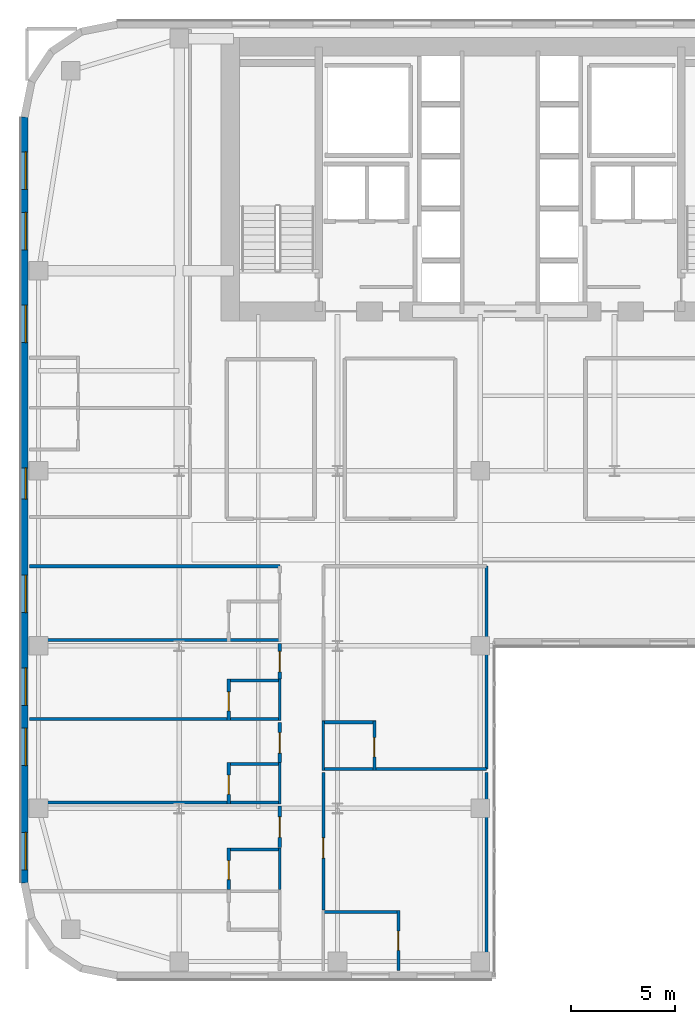
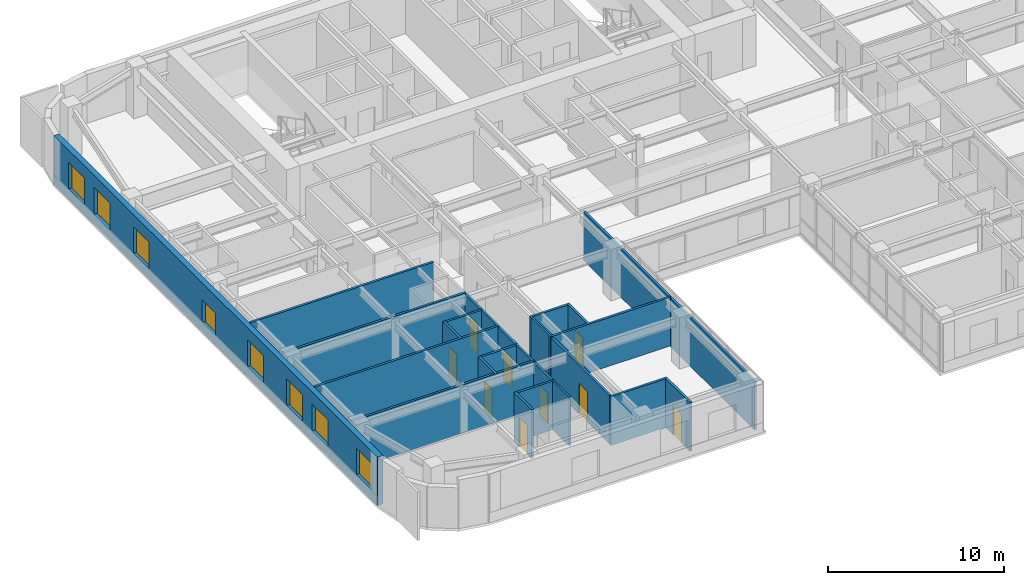
# One storey, part 14 of 24: 26 walls, 9 doors, 8 windows, 17 openings.
"""IFC4 building model written with IfcOpenShell, lengths in metres."""

from ifc_helpers import new_model, si_unit, direction, frame, frame_2d, origin, place, context, subcontext, project, spatial, rectangle, extrude, source, transform, mapped, material, layer, layer_set, type_object, type_shapes, element, fill, save


model = new_model("IFC4")

# Units and contexts
model_context = context("Model", 3, precision=1e-05, world=origin(), true_north=direction((0.0, 1.0)))
body_context = subcontext(model_context, "Body", "Model", "MODEL_VIEW")
ifc_project = project(units=[si_unit("LENGTHUNIT", "METRE"), si_unit("AREAUNIT", "SQUARE_METRE"), si_unit("VOLUMEUNIT", "CUBIC_METRE"), si_unit("PLANEANGLEUNIT", "RADIAN"), si_unit("MASSUNIT", "GRAM", prefix="KILO")], contexts=[model_context])

# Site, building, storey
site_placement = place(None, origin())
site = spatial("IfcSite", under=ifc_project, at=site_placement, CompositionType="ELEMENT")
building_placement = place(site_placement, origin())
building = spatial("IfcBuilding", under=site, at=building_placement, Name="Tolvann Quenvar Hotel", CompositionType="ELEMENT")
storey_placement = place(building_placement, frame((0.0, 0.0, 81.699951171875)))
storey = spatial("IfcBuildingStorey", under=building, at=storey_placement, Name="L20", CompositionType="ELEMENT", Elevation=81.699951171875)

# Wall, openings, windows
ifc_material_1 = material(Name="Kiln-fired red and buff architectural clay brickwork and terracotta masonry", Category="masonry")
ifc_layer_1 = layer(ifc_material_1, 0.35009765625)
ifc_layer_set_1 = layer_set([ifc_layer_1], Name="Kiln-fired red and buff architectural clay brickwork and terracotta masonry")
wall_type_1 = type_object("IfcWallType", Name="WALL_EXT_BRICK_350", PredefinedType="SOLIDWALL", material=ifc_layer_set_1)
wall_1_placement = place(storey_placement, frame((0.175048828125, 41.3828125, 0.0), z_axis=(0.0, 0.0, 1.0), x_axis=(0.0, -1.0, 0.0)))
wall_1 = element("IfcWall", 1, at=wall_1_placement, inside=storey, type_object=wall_type_1, Name="Exterior Chicago Brick Wall L20-E23", PredefinedType="SOLIDWALL", context=body_context, shape_type="SweptSolid", body=[
    extrude(rectangle(XDim=36.765625, YDim=0.35009765625, at=frame_2d((18.3828125, 0.0))), origin(), (0.0, 0.0, 1.0), 3.3701171875),
])
opening_1_placement = place(wall_1_placement, frame((1.676025390625, 0.0, 0.679931640625)))
opening_1 = element("IfcOpeningElement", 2, at=opening_1_placement, cuts=wall_1, Name="Opening W-03", PredefinedType="OPENING", context=body_context, shape_type="SweptSolid", body=[
    extrude(rectangle(XDim=1.800048828125, YDim=1.85009765625, at=frame_2d((0.89990234375, 0.925048828125))), frame((0.0, 0.18505859375, 0.0), z_axis=(0.0, -1.0, 0.0), x_axis=(1.0, 0.0, 0.0)), (0.0, 0.0, 1.0), 0.3701171875),
])
opening_2_placement = place(wall_1_placement, frame((4.577880859375, 0.0, 0.679931640625)))
opening_2 = element("IfcOpeningElement", 3, at=opening_2_placement, cuts=wall_1, Name="Opening W-03", PredefinedType="OPENING", context=body_context, shape_type="SweptSolid", body=[
    extrude(rectangle(XDim=1.800048828125, YDim=1.85009765625, at=frame_2d((0.89990234375, 0.925048828125))), frame((0.0, 0.18505859375, 0.0), z_axis=(0.0, -1.0, 0.0), x_axis=(1.0, 0.0, 0.0)), (0.0, 0.0, 1.0), 0.3701171875),
])
opening_3_placement = place(wall_1_placement, frame((9.029052734375, 0.0, 0.679931640625)))
opening_3 = element("IfcOpeningElement", 4, at=opening_3_placement, cuts=wall_1, Name="Opening W-03", PredefinedType="OPENING", context=body_context, shape_type="SweptSolid", body=[
    extrude(rectangle(XDim=1.800048828125, YDim=1.85009765625, at=frame_2d((0.89990234375, 0.925048828125))), frame((0.0, 0.18505859375, 0.0), z_axis=(0.0, -1.0, 0.0), x_axis=(1.0, 0.0, 0.0)), (0.0, 0.0, 1.0), 0.3701171875),
])
opening_4_placement = place(wall_1_placement, frame((21.985107421875, 0.0, 0.679931640625)))
opening_4 = element("IfcOpeningElement", 5, at=opening_4_placement, cuts=wall_1, Name="Opening W-03", PredefinedType="OPENING", context=body_context, shape_type="SweptSolid", body=[
    extrude(rectangle(XDim=1.800048828125, YDim=1.85009765625, at=frame_2d((0.89990234375, 0.925048828125))), frame((0.0, 0.18505859375, 0.0), z_axis=(0.0, -1.0, 0.0), x_axis=(1.0, 0.0, 0.0)), (0.0, 0.0, 1.0), 0.3701171875),
])
opening_5_placement = place(wall_1_placement, frame((26.43603515625, 0.0, 0.679931640625)))
opening_5 = element("IfcOpeningElement", 6, at=opening_5_placement, cuts=wall_1, Name="Opening W-03", PredefinedType="OPENING", context=body_context, shape_type="SweptSolid", body=[
    extrude(rectangle(XDim=1.800048828125, YDim=1.85009765625, at=frame_2d((0.89990234375, 0.925048828125))), frame((0.0, 0.18505859375, 0.0), z_axis=(0.0, -1.0, 0.0), x_axis=(1.0, 0.0, 0.0)), (0.0, 0.0, 1.0), 0.3701171875),
])
opening_6_placement = place(wall_1_placement, frame((29.337890625, 0.0, 0.679931640625)))
opening_6 = element("IfcOpeningElement", 7, at=opening_6_placement, cuts=wall_1, Name="Opening W-03", PredefinedType="OPENING", context=body_context, shape_type="SweptSolid", body=[
    extrude(rectangle(XDim=1.800048828125, YDim=1.85009765625, at=frame_2d((0.89990234375, 0.925048828125))), frame((0.0, 0.18505859375, 0.0), z_axis=(0.0, -1.0, 0.0), x_axis=(1.0, 0.0, 0.0)), (0.0, 0.0, 1.0), 0.3701171875),
])
opening_7_placement = place(wall_1_placement, frame((34.340087890625, 0.0, 0.679931640625)))
opening_7 = element("IfcOpeningElement", 8, at=opening_7_placement, cuts=wall_1, Name="Opening W-03", PredefinedType="OPENING", context=body_context, shape_type="SweptSolid", body=[
    extrude(rectangle(XDim=1.800048828125, YDim=1.85009765625, at=frame_2d((0.89990234375, 0.925048828125))), frame((0.0, 0.18505859375, 0.0), z_axis=(0.0, -1.0, 0.0), x_axis=(1.0, 0.0, 0.0)), (0.0, 0.0, 1.0), 0.3701171875),
])
opening_8_placement = place(wall_1_placement, frame((16.837890625, 0.0, 0.6201171875)))
opening_8 = element("IfcOpeningElement", 9, at=opening_8_placement, cuts=wall_1, Name="Opening W-08", PredefinedType="OPENING", context=body_context, shape_type="SweptSolid", body=[
    extrude(rectangle(XDim=1.5, YDim=1.550048828125, at=frame_2d((0.75, 0.77490234375))), frame((0.0, 0.18505859375, 0.0), z_axis=(0.0, -1.0, 0.0), x_axis=(1.0, 0.0, 0.0)), (0.0, 0.0, 1.0), 0.3701171875),
])
ifc_material_2 = material(Name="Thermally broken bronze-anodised aluminium frame with double low-E glazing", Category="aluminium")
window_type_1 = type_object("IfcWindowType", Name="WIN_COR_1500x2050", PartitioningType="SINGLE_PANEL", PredefinedType="WINDOW", material=ifc_material_2)
shared_shape_1 = source(origin(), body_context, "Body", "SweptSolid", [
    extrude(rectangle(XDim=1.5, YDim=1.550048828125, at=frame_2d((0.75, 0.77490234375))), frame((0.0, 0.090087890625, 0.0), z_axis=(0.0, -1.0, 0.0), x_axis=(1.0, 0.0, 0.0)), (0.0, 0.0, 1.0), 0.06005859375),
])
type_shapes(window_type_1, [shared_shape_1])
window_1_placement = place(opening_8_placement, origin())
window_1 = element("IfcWindow", 10, at=window_1_placement, inside=storey, type_object=window_type_1, Name="Chicago Window W-08 (EW-L20-E23-WD08)", OverallHeight=1.550048828125, OverallWidth=1.5, PartitioningType="SINGLE_PANEL", PredefinedType="WINDOW", context=body_context, shape_type="MappedRepresentation", body=[
    mapped(shared_shape_1, transform((0.0, 0.0, 0.0), x_axis=(1.0, 0.0, 0.0), y_axis=(0.0, 1.0, 0.0), z_axis=(0.0, 0.0, 1.0), scale=1.0)),
])
fill(opening_8, window_1)
window_type_2 = type_object("IfcWindowType", Name="WIN_CHI_1800x2050", PartitioningType="TRIPLE_PANEL_HORIZONTAL", PredefinedType="WINDOW", material=ifc_material_2)
shared_shape_2 = source(origin(), body_context, "Body", "SweptSolid", [
    extrude(rectangle(XDim=1.800048828125, YDim=1.85009765625, at=frame_2d((0.89990234375, 0.925048828125))), frame((0.0, 0.090087890625, 0.0), z_axis=(0.0, -1.0, 0.0), x_axis=(1.0, 0.0, 0.0)), (0.0, 0.0, 1.0), 0.06005859375),
])
type_shapes(window_type_2, [shared_shape_2])
window_2_placement = place(opening_1_placement, origin())
window_2 = element("IfcWindow", 11, at=window_2_placement, inside=storey, type_object=window_type_2, Name="Chicago Window W-03 (EW-L20-E23-W01)", OverallHeight=1.85009765625, OverallWidth=1.800048828125, PartitioningType="TRIPLE_PANEL_HORIZONTAL", PredefinedType="WINDOW", context=body_context, shape_type="MappedRepresentation", body=[
    mapped(shared_shape_2, transform((0.0, 0.0, 0.0), x_axis=(1.0, 0.0, 0.0), y_axis=(0.0, 1.0, 0.0), z_axis=(0.0, 0.0, 1.0), scale=1.0)),
])
fill(opening_1, window_2)
window_3_placement = place(opening_2_placement, origin())
window_3 = element("IfcWindow", 12, at=window_3_placement, inside=storey, type_object=window_type_2, Name="Chicago Window W-03 (EW-L20-E23-W02)", OverallHeight=1.85009765625, OverallWidth=1.800048828125, PartitioningType="TRIPLE_PANEL_HORIZONTAL", PredefinedType="WINDOW", context=body_context, shape_type="MappedRepresentation", body=[
    mapped(shared_shape_2, transform((0.0, 0.0, 0.0), x_axis=(1.0, 0.0, 0.0), y_axis=(0.0, 1.0, 0.0), z_axis=(0.0, 0.0, 1.0), scale=1.0)),
])
fill(opening_2, window_3)
window_4_placement = place(opening_3_placement, origin())
window_4 = element("IfcWindow", 13, at=window_4_placement, inside=storey, type_object=window_type_2, Name="Chicago Window W-03 (EW-L20-E23-W03)", OverallHeight=1.85009765625, OverallWidth=1.800048828125, PartitioningType="TRIPLE_PANEL_HORIZONTAL", PredefinedType="WINDOW", context=body_context, shape_type="MappedRepresentation", body=[
    mapped(shared_shape_2, transform((0.0, 0.0, 0.0), x_axis=(1.0, 0.0, 0.0), y_axis=(0.0, 1.0, 0.0), z_axis=(0.0, 0.0, 1.0), scale=1.0)),
])
fill(opening_3, window_4)
window_5_placement = place(opening_4_placement, origin())
window_5 = element("IfcWindow", 14, at=window_5_placement, inside=storey, type_object=window_type_2, Name="Chicago Window W-03 (EW-L20-E23-W04)", OverallHeight=1.85009765625, OverallWidth=1.800048828125, PartitioningType="TRIPLE_PANEL_HORIZONTAL", PredefinedType="WINDOW", context=body_context, shape_type="MappedRepresentation", body=[
    mapped(shared_shape_2, transform((0.0, 0.0, 0.0), x_axis=(1.0, 0.0, 0.0), y_axis=(0.0, 1.0, 0.0), z_axis=(0.0, 0.0, 1.0), scale=1.0)),
])
fill(opening_4, window_5)
window_6_placement = place(opening_5_placement, origin())
window_6 = element("IfcWindow", 15, at=window_6_placement, inside=storey, type_object=window_type_2, Name="Chicago Window W-03 (EW-L20-E23-W05)", OverallHeight=1.85009765625, OverallWidth=1.800048828125, PartitioningType="TRIPLE_PANEL_HORIZONTAL", PredefinedType="WINDOW", context=body_context, shape_type="MappedRepresentation", body=[
    mapped(shared_shape_2, transform((0.0, 0.0, 0.0), x_axis=(1.0, 0.0, 0.0), y_axis=(0.0, 1.0, 0.0), z_axis=(0.0, 0.0, 1.0), scale=1.0)),
])
fill(opening_5, window_6)
window_7_placement = place(opening_6_placement, origin())
window_7 = element("IfcWindow", 16, at=window_7_placement, inside=storey, type_object=window_type_2, Name="Chicago Window W-03 (EW-L20-E23-W06)", OverallHeight=1.85009765625, OverallWidth=1.800048828125, PartitioningType="TRIPLE_PANEL_HORIZONTAL", PredefinedType="WINDOW", context=body_context, shape_type="MappedRepresentation", body=[
    mapped(shared_shape_2, transform((0.0, 0.0, 0.0), x_axis=(1.0, 0.0, 0.0), y_axis=(0.0, 1.0, 0.0), z_axis=(0.0, 0.0, 1.0), scale=1.0)),
])
fill(opening_6, window_7)
window_8_placement = place(opening_7_placement, origin())
window_8 = element("IfcWindow", 17, at=window_8_placement, inside=storey, type_object=window_type_2, Name="Chicago Window W-03 (EW-L20-E23-W07)", OverallHeight=1.85009765625, OverallWidth=1.800048828125, PartitioningType="TRIPLE_PANEL_HORIZONTAL", PredefinedType="WINDOW", context=body_context, shape_type="MappedRepresentation", body=[
    mapped(shared_shape_2, transform((0.0, 0.0, 0.0), x_axis=(1.0, 0.0, 0.0), y_axis=(0.0, 1.0, 0.0), z_axis=(0.0, 0.0, 1.0), scale=1.0)),
])
fill(opening_7, window_8)

# Walls
ifc_material_3 = material(Name="Moisture-resistant acoustic plumbing wall assembly")
ifc_layer_2 = layer(ifc_material_3, 0.1201171875)
ifc_layer_set_2 = layer_set([ifc_layer_2], Name="Moisture-resistant acoustic plumbing wall assembly")
wall_type_2 = type_object("IfcWallType", Name="WALL_PART_BATH_120", PredefinedType="PLUMBINGWALL", material=ifc_layer_set_2)
for number, where, z_axis, x_axis, name in (
    (18, (12.429931640625, 4.31005859375, 0.0), (0.0, 0.0, 1.0), (0.0, 1.0, 0.0), "Non-Rated Plumbing Partition PT-SPC-L20-ENS-WO02-E"),
    (19, (12.429931640625, 8.409912109375, 0.0), (0.0, 0.0, 1.0), (0.0, 1.0, 0.0), "Non-Rated Plumbing Partition PT-SPC-L20-ENS-WO03-E"),
    (20, (12.429931640625, 12.409912109375, 0.0), (0.0, 0.0, 1.0), (0.0, 1.0, 0.0), "Non-Rated Plumbing Partition PT-SPC-L20-ENS-WO04-E"),
):
    element("IfcWall", number, at=place(storey_placement, frame(where, z_axis=z_axis, x_axis=x_axis)), inside=storey, type_object=wall_type_2, Name=name, PredefinedType="PLUMBINGWALL", context=body_context, shape_type="SweptSolid", body=[
        extrude(rectangle(XDim=1.989990234375, YDim=0.1201171875, at=frame_2d((0.9951171875, 0.0))), origin(), (0.0, 0.0, 1.0), 3.3701171875),
    ])
wall_2_placement = place(storey_placement, frame((14.52001953125, 10.010009765625, 0.0), z_axis=(0.0, 0.0, 1.0), x_axis=(0.0, 1.0, 0.0)))
element("IfcWall", 21, at=wall_2_placement, inside=storey, type_object=wall_type_2, Name="Non-Rated Plumbing Partition PT-SPC-L20-ENS-WI02-W", PredefinedType="PLUMBINGWALL", context=body_context, shape_type="SweptSolid", body=[
    extrude(rectangle(XDim=2.389892578125, YDim=0.1201171875, at=frame_2d((1.19482421875, 0.0))), origin(), (0.0, 0.0, 1.0), 3.3701171875),
])

# Wall, opening, door
ifc_material_4 = material(Name="Acoustic twin-stud fire-rated gypsum plasterboard partition")
ifc_layer_3 = layer(ifc_material_4, 0.14990234375)
ifc_layer_set_3 = layer_set([ifc_layer_3], Name="Acoustic twin-stud fire-rated gypsum plasterboard partition")
wall_type_3 = type_object("IfcWallType", Name="WALL_PART_SUITE_150", PredefinedType="PARTITIONING", material=ifc_layer_set_3)
wall_3_placement = place(storey_placement, frame((9.97998046875, 4.31005859375, 0.0), z_axis=(0.0, 0.0, 1.0), x_axis=(0.0, 1.0, 0.0)))
wall_3 = element("IfcWall", 22, at=wall_3_placement, inside=storey, type_object=wall_type_3, Name="Interior Partition PT-SPC-L20-ENS-WO02-ENT", PredefinedType="PARTITIONING", context=body_context, shape_type="SweptSolid", body=[
    extrude(rectangle(XDim=1.989990234375, YDim=0.14990234375, at=frame_2d((0.9951171875, 0.0))), origin(), (0.0, 0.0, 1.0), 3.3701171875),
])
opening_9_placement = place(wall_3_placement, frame((0.465087890625, 0.0, 0.0)))
opening_9 = element("IfcOpeningElement", 23, at=opening_9_placement, cuts=wall_3, Name="Opening WD-01", PredefinedType="OPENING", context=body_context, shape_type="SweptSolid", body=[
    extrude(rectangle(XDim=0.919921875, YDim=2.010009765625, at=frame_2d((0.4599609375, 1.0048828125))), frame((0.0, 0.0849609375, 0.0), z_axis=(0.0, -1.0, 0.0), x_axis=(1.0, 0.0, 0.0)), (0.0, 0.0, 1.0), 0.169921875),
])
ifc_material_5 = material(Name="Solid-core American oak acoustic fire door leaf in steel frame", Category="steel")
door_type_1 = type_object("IfcDoorType", Name="DOOR_WC_920", OperationType="NOTDEFINED", PredefinedType="DOOR", material=ifc_material_5)
shared_shape_3 = source(origin(), body_context, "Body", "SweptSolid", [
    extrude(rectangle(XDim=0.919921875, YDim=2.010009765625, at=frame_2d((0.4599609375, 1.0048828125))), frame((0.0, 0.02490234375, 0.0), z_axis=(0.0, -1.0, 0.0), x_axis=(1.0, 0.0, 0.0)), (0.0, 0.0, 1.0), 0.050048828125),
])
type_shapes(door_type_1, [shared_shape_3])
door_1_placement = place(opening_9_placement, origin())
door_1 = element("IfcDoor", 24, at=door_1_placement, inside=storey, type_object=door_type_1, Name="Interior Door DOOR-SPC-L20-ENS-WO02", OperationType="SINGLE_SWING_LEFT", OverallHeight=2.010009765625, OverallWidth=0.919921875, PredefinedType="DOOR", context=body_context, shape_type="MappedRepresentation", body=[
    mapped(shared_shape_3, transform((0.0, 0.0, 0.0), x_axis=(1.0, 0.0, 0.0), y_axis=(0.0, 1.0, 0.0), z_axis=(0.0, 0.0, 1.0), scale=1.0)),
])
fill(opening_9, door_1)

# Wall
wall_4_placement = place(storey_placement, frame((9.909912109375, 6.22998046875, 0.0), z_axis=(0.0, 0.0, 1.0), x_axis=(1.0, 0.0, 0.0)))
element("IfcWall", 25, at=wall_4_placement, inside=storey, type_object=wall_type_3, Name="Interior Partition PT-SPC-L20-ENS-WO02-N", PredefinedType="PARTITIONING", context=body_context, shape_type="SweptSolid", body=[
    extrude(rectangle(XDim=2.590087890625, YDim=0.14990234375, at=frame_2d((1.294921875, 0.0))), origin(), (0.0, 0.0, 1.0), 3.3701171875),
])

# Wall, opening, door
wall_5_placement = place(storey_placement, frame((9.97998046875, 8.409912109375, 0.0), z_axis=(0.0, 0.0, 1.0), x_axis=(0.0, 1.0, 0.0)))
wall_5 = element("IfcWall", 26, at=wall_5_placement, inside=storey, type_object=wall_type_3, Name="Interior Partition PT-SPC-L20-ENS-WO03-ENT", PredefinedType="PARTITIONING", context=body_context, shape_type="SweptSolid", body=[
    extrude(rectangle(XDim=1.989990234375, YDim=0.14990234375, at=frame_2d((0.9951171875, 0.0))), origin(), (0.0, 0.0, 1.0), 3.3701171875),
])
opening_10_placement = place(wall_5_placement, frame((0.465087890625, 0.0, 0.0)))
opening_10 = element("IfcOpeningElement", 27, at=opening_10_placement, cuts=wall_5, Name="Opening WD-01", PredefinedType="OPENING", context=body_context, shape_type="SweptSolid", body=[
    extrude(rectangle(XDim=0.919921875, YDim=2.010009765625, at=frame_2d((0.4599609375, 1.0048828125))), frame((0.0, 0.0849609375, 0.0), z_axis=(0.0, -1.0, 0.0), x_axis=(1.0, 0.0, 0.0)), (0.0, 0.0, 1.0), 0.169921875),
])
door_2_placement = place(opening_10_placement, origin())
door_2 = element("IfcDoor", 28, at=door_2_placement, inside=storey, type_object=door_type_1, Name="Interior Door DOOR-SPC-L20-ENS-WO03", OperationType="SINGLE_SWING_RIGHT", OverallHeight=2.010009765625, OverallWidth=0.919921875, PredefinedType="DOOR", context=body_context, shape_type="MappedRepresentation", body=[
    mapped(shared_shape_3, transform((0.0, 0.0, 0.0), x_axis=(1.0, 0.0, 0.0), y_axis=(0.0, 1.0, 0.0), z_axis=(0.0, 0.0, 1.0), scale=1.0)),
])
fill(opening_10, door_2)

# Walls
wall_6_placement = place(storey_placement, frame((0.405029296875, 8.47998046875, 0.0), z_axis=(0.0, 0.0, 1.0), x_axis=(1.0, 0.0, 0.0)))
element("IfcWall", 29, at=wall_6_placement, inside=storey, type_object=wall_type_3, Name="Interior Partition PT-SPC-L20-ENS-WO03-S", PredefinedType="PARTITIONING", context=body_context, shape_type="SweptSolid", body=[
    extrude(rectangle(XDim=12.094970703125, YDim=0.14990234375, at=frame_2d((6.04736328125, 0.0))), origin(), (0.0, 0.0, 1.0), 3.3701171875),
])
wall_7_placement = place(storey_placement, frame((9.909912109375, 10.330078125, 0.0), z_axis=(0.0, 0.0, 1.0), x_axis=(1.0, 0.0, 0.0)))
element("IfcWall", 30, at=wall_7_placement, inside=storey, type_object=wall_type_3, Name="Interior Partition PT-SPC-L20-ENS-WO03-N", PredefinedType="PARTITIONING", context=body_context, shape_type="SweptSolid", body=[
    extrude(rectangle(XDim=2.590087890625, YDim=0.14990234375, at=frame_2d((1.294921875, 0.0))), origin(), (0.0, 0.0, 1.0), 3.3701171875),
])

# Wall, opening, door
wall_8_placement = place(storey_placement, frame((9.97998046875, 12.409912109375, 0.0), z_axis=(0.0, 0.0, 1.0), x_axis=(0.0, 1.0, 0.0)))
wall_8 = element("IfcWall", 31, at=wall_8_placement, inside=storey, type_object=wall_type_3, Name="Interior Partition PT-SPC-L20-ENS-WO04-ENT", PredefinedType="PARTITIONING", context=body_context, shape_type="SweptSolid", body=[
    extrude(rectangle(XDim=1.989990234375, YDim=0.14990234375, at=frame_2d((0.9951171875, 0.0))), origin(), (0.0, 0.0, 1.0), 3.3701171875),
])
opening_11_placement = place(wall_8_placement, frame((0.465087890625, 0.0, 0.0)))
opening_11 = element("IfcOpeningElement", 32, at=opening_11_placement, cuts=wall_8, Name="Opening WD-01", PredefinedType="OPENING", context=body_context, shape_type="SweptSolid", body=[
    extrude(rectangle(XDim=0.919921875, YDim=2.010009765625, at=frame_2d((0.4599609375, 1.0048828125))), frame((0.0, 0.0849609375, 0.0), z_axis=(0.0, -1.0, 0.0), x_axis=(1.0, 0.0, 0.0)), (0.0, 0.0, 1.0), 0.169921875),
])
door_3_placement = place(opening_11_placement, origin())
door_3 = element("IfcDoor", 33, at=door_3_placement, inside=storey, type_object=door_type_1, Name="Interior Door DOOR-SPC-L20-ENS-WO04", OperationType="SINGLE_SWING_LEFT", OverallHeight=2.010009765625, OverallWidth=0.919921875, PredefinedType="DOOR", context=body_context, shape_type="MappedRepresentation", body=[
    mapped(shared_shape_3, transform((0.0, 0.0, 0.0), x_axis=(1.0, 0.0, 0.0), y_axis=(0.0, 1.0, 0.0), z_axis=(0.0, 0.0, 1.0), scale=1.0)),
])
fill(opening_11, door_3)

# Walls
wall_9_placement = place(storey_placement, frame((0.405029296875, 12.47998046875, 0.0), z_axis=(0.0, 0.0, 1.0), x_axis=(1.0, 0.0, 0.0)))
element("IfcWall", 34, at=wall_9_placement, inside=storey, type_object=wall_type_3, Name="Interior Partition PT-SPC-L20-ENS-WO04-S", PredefinedType="PARTITIONING", context=body_context, shape_type="SweptSolid", body=[
    extrude(rectangle(XDim=12.094970703125, YDim=0.14990234375, at=frame_2d((6.04736328125, 0.0))), origin(), (0.0, 0.0, 1.0), 3.3701171875),
])
wall_10_placement = place(storey_placement, frame((9.909912109375, 14.330078125, 0.0), z_axis=(0.0, 0.0, 1.0), x_axis=(1.0, 0.0, 0.0)))
element("IfcWall", 35, at=wall_10_placement, inside=storey, type_object=wall_type_3, Name="Interior Partition PT-SPC-L20-ENS-WO04-N", PredefinedType="PARTITIONING", context=body_context, shape_type="SweptSolid", body=[
    extrude(rectangle(XDim=2.590087890625, YDim=0.14990234375, at=frame_2d((1.294921875, 0.0))), origin(), (0.0, 0.0, 1.0), 3.3701171875),
])
wall_11_placement = place(storey_placement, frame((0.405029296875, 16.280029296875, 0.0), z_axis=(0.0, 0.0, 1.0), x_axis=(1.0, 0.0, 0.0)))
element("IfcWall", 36, at=wall_11_placement, inside=storey, type_object=wall_type_3, Name="Interior Partition PT-SPC-L20-ENS-WO05-S", PredefinedType="PARTITIONING", context=body_context, shape_type="SweptSolid", body=[
    extrude(rectangle(XDim=12.094970703125, YDim=0.14990234375, at=frame_2d((6.04736328125, 0.0))), origin(), (0.0, 0.0, 1.0), 3.3701171875),
])

# Wall, opening, door
wall_12_placement = place(storey_placement, frame((18.1201171875, 0.405029296875, 0.0), z_axis=(0.0, 0.0, 1.0), x_axis=(0.0, 1.0, 0.0)))
wall_12 = element("IfcWall", 37, at=wall_12_placement, inside=storey, type_object=wall_type_3, Name="Interior Partition PT-SPC-L20-ENS-WI01-ENT", PredefinedType="PARTITIONING", context=body_context, shape_type="SweptSolid", body=[
    extrude(rectangle(XDim=2.89501953125, YDim=0.14990234375, at=frame_2d((1.447509765625, 0.0))), origin(), (0.0, 0.0, 1.0), 3.3701171875),
])
opening_12_placement = place(wall_12_placement, frame((0.97998046875, 0.0, 0.0)))
opening_12 = element("IfcOpeningElement", 38, at=opening_12_placement, cuts=wall_12, Name="Opening WD-01", PredefinedType="OPENING", context=body_context, shape_type="SweptSolid", body=[
    extrude(rectangle(XDim=0.919921875, YDim=2.010009765625, at=frame_2d((0.4599609375, 1.0048828125))), frame((0.0, 0.0849609375, 0.0), z_axis=(0.0, -1.0, 0.0), x_axis=(1.0, 0.0, 0.0)), (0.0, 0.0, 1.0), 0.169921875),
])
door_4_placement = place(opening_12_placement, origin())
door_4 = element("IfcDoor", 39, at=door_4_placement, inside=storey, type_object=door_type_1, Name="Interior Door DOOR-SPC-L20-ENS-WI01", OperationType="SINGLE_SWING_LEFT", OverallHeight=2.010009765625, OverallWidth=0.919921875, PredefinedType="DOOR", context=body_context, shape_type="MappedRepresentation", body=[
    mapped(shared_shape_3, transform((0.0, 0.0, 0.0), x_axis=(1.0, 0.0, 0.0), y_axis=(0.0, 1.0, 0.0), z_axis=(0.0, 0.0, 1.0), scale=1.0)),
])
fill(opening_12, door_4)

# Wall
wall_13_placement = place(storey_placement, frame((14.449951171875, 3.22998046875, 0.0), z_axis=(0.0, 0.0, 1.0), x_axis=(1.0, 0.0, 0.0)))
element("IfcWall", 40, at=wall_13_placement, inside=storey, type_object=wall_type_3, Name="Interior Partition PT-SPC-L20-ENS-WI01-N", PredefinedType="PARTITIONING", context=body_context, shape_type="SweptSolid", body=[
    extrude(rectangle(XDim=3.739990234375, YDim=0.14990234375, at=frame_2d((1.8701171875, 0.0))), origin(), (0.0, 0.0, 1.0), 3.3701171875),
])

# Wall, opening, door
wall_14_placement = place(storey_placement, frame((16.969970703125, 10.010009765625, 0.0), z_axis=(0.0, 0.0, 1.0), x_axis=(0.0, 1.0, 0.0)))
wall_14 = element("IfcWall", 41, at=wall_14_placement, inside=storey, type_object=wall_type_3, Name="Interior Partition PT-SPC-L20-ENS-WI02-ENT", PredefinedType="PARTITIONING", context=body_context, shape_type="SweptSolid", body=[
    extrude(rectangle(XDim=2.389892578125, YDim=0.14990234375, at=frame_2d((1.19482421875, 0.0))), origin(), (0.0, 0.0, 1.0), 3.3701171875),
])
opening_13_placement = place(wall_14_placement, frame((0.6650390625, 0.0, 0.0)))
opening_13 = element("IfcOpeningElement", 42, at=opening_13_placement, cuts=wall_14, Name="Opening WD-01", PredefinedType="OPENING", context=body_context, shape_type="SweptSolid", body=[
    extrude(rectangle(XDim=0.919921875, YDim=2.010009765625, at=frame_2d((0.4599609375, 1.0048828125))), frame((0.0, 0.0849609375, 0.0), z_axis=(0.0, -1.0, 0.0), x_axis=(1.0, 0.0, 0.0)), (0.0, 0.0, 1.0), 0.169921875),
])
door_5_placement = place(opening_13_placement, origin())
door_5 = element("IfcDoor", 43, at=door_5_placement, inside=storey, type_object=door_type_1, Name="Interior Door DOOR-SPC-L20-ENS-WI02", OperationType="SINGLE_SWING_RIGHT", OverallHeight=2.010009765625, OverallWidth=0.919921875, PredefinedType="DOOR", context=body_context, shape_type="MappedRepresentation", body=[
    mapped(shared_shape_3, transform((0.0, 0.0, 0.0), x_axis=(1.0, 0.0, 0.0), y_axis=(0.0, 1.0, 0.0), z_axis=(0.0, 0.0, 1.0), scale=1.0)),
])
fill(opening_13, door_5)

# Walls
wall_15_placement = place(storey_placement, frame((14.449951171875, 10.080078125, 0.0), z_axis=(0.0, 0.0, 1.0), x_axis=(1.0, 0.0, 0.0)))
element("IfcWall", 44, at=wall_15_placement, inside=storey, type_object=wall_type_3, Name="Interior Partition PT-SPC-L20-ENS-WI02-S", PredefinedType="PARTITIONING", context=body_context, shape_type="SweptSolid", body=[
    extrude(rectangle(XDim=7.900146484375, YDim=0.14990234375, at=frame_2d((3.9501953125, 0.0))), origin(), (0.0, 0.0, 1.0), 3.3701171875),
])
wall_16_placement = place(storey_placement, frame((14.449951171875, 12.330078125, 0.0), z_axis=(0.0, 0.0, 1.0), x_axis=(1.0, 0.0, 0.0)))
element("IfcWall", 45, at=wall_16_placement, inside=storey, type_object=wall_type_3, Name="Interior Partition PT-SPC-L20-ENS-WI02-N", PredefinedType="PARTITIONING", context=body_context, shape_type="SweptSolid", body=[
    extrude(rectangle(XDim=2.590087890625, YDim=0.14990234375, at=frame_2d((1.294921875, 0.0))), origin(), (0.0, 0.0, 1.0), 3.3701171875),
])

# Wall, opening, door
wall_17_placement = place(storey_placement, frame((12.429931640625, 6.31005859375, 0.0), z_axis=(0.0, 0.0, 1.0), x_axis=(0.0, 1.0, 0.0)))
wall_17 = element("IfcWall", 46, at=wall_17_placement, inside=storey, type_object=wall_type_3, Name="Interior Partition PT-SPC-L20-RM-WO02-ENT", PredefinedType="PARTITIONING", context=body_context, shape_type="SweptSolid", body=[
    extrude(rectangle(XDim=2.010009765625, YDim=0.14990234375, at=frame_2d((1.0048828125, 0.0))), origin(), (0.0, 0.0, 1.0), 3.3701171875),
])
opening_14_placement = place(wall_17_placement, frame((0.4951171875, 0.0, 0.0)))
opening_14 = element("IfcOpeningElement", 47, at=opening_14_placement, cuts=wall_17, Name="Opening SD-01", PredefinedType="OPENING", context=body_context, shape_type="SweptSolid", body=[
    extrude(rectangle(XDim=0.97998046875, YDim=2.1201171875, at=frame_2d((0.489990234375, 1.06005859375))), frame((0.0, 0.0849609375, 0.0), z_axis=(0.0, -1.0, 0.0), x_axis=(1.0, 0.0, 0.0)), (0.0, 0.0, 1.0), 0.169921875),
])
door_type_2 = type_object("IfcDoorType", Name="DOOR_SUITE_980", OperationType="NOTDEFINED", PredefinedType="DOOR", material=ifc_material_5)
shared_shape_4 = source(origin(), body_context, "Body", "SweptSolid", [
    extrude(rectangle(XDim=0.97998046875, YDim=2.1201171875, at=frame_2d((0.489990234375, 1.06005859375))), frame((0.0, 0.02490234375, 0.0), z_axis=(0.0, -1.0, 0.0), x_axis=(1.0, 0.0, 0.0)), (0.0, 0.0, 1.0), 0.050048828125),
])
type_shapes(door_type_2, [shared_shape_4])
door_6_placement = place(opening_14_placement, origin())
door_6 = element("IfcDoor", 48, at=door_6_placement, inside=storey, type_object=door_type_2, Name="Interior Door DOOR-SPC-L20-RM-WO02", OperationType="SINGLE_SWING_LEFT", OverallHeight=2.1201171875, OverallWidth=0.97998046875, PredefinedType="DOOR", context=body_context, shape_type="MappedRepresentation", body=[
    mapped(shared_shape_4, transform((0.0, 0.0, 0.0), x_axis=(1.0, 0.0, 0.0), y_axis=(0.0, 1.0, 0.0), z_axis=(0.0, 0.0, 1.0), scale=1.0)),
])
fill(opening_14, door_6)

wall_18_placement = place(storey_placement, frame((12.429931640625, 10.409912109375, 0.0), z_axis=(0.0, 0.0, 1.0), x_axis=(0.0, 1.0, 0.0)))
wall_18 = element("IfcWall", 49, at=wall_18_placement, inside=storey, type_object=wall_type_3, Name="Interior Partition PT-SPC-L20-RM-WO03-ENT", PredefinedType="PARTITIONING", context=body_context, shape_type="SweptSolid", body=[
    extrude(rectangle(XDim=1.91015625, YDim=0.14990234375, at=frame_2d((0.955078125, 0.0))), origin(), (0.0, 0.0, 1.0), 3.3701171875),
])
opening_15_placement = place(wall_18_placement, frame((0.445068359375, 0.0, 0.0)))
opening_15 = element("IfcOpeningElement", 50, at=opening_15_placement, cuts=wall_18, Name="Opening SD-01", PredefinedType="OPENING", context=body_context, shape_type="SweptSolid", body=[
    extrude(rectangle(XDim=0.97998046875, YDim=2.1201171875, at=frame_2d((0.489990234375, 1.06005859375))), frame((0.0, 0.0849609375, 0.0), z_axis=(0.0, -1.0, 0.0), x_axis=(1.0, 0.0, 0.0)), (0.0, 0.0, 1.0), 0.169921875),
])
door_7_placement = place(opening_15_placement, origin())
door_7 = element("IfcDoor", 51, at=door_7_placement, inside=storey, type_object=door_type_2, Name="Interior Door DOOR-SPC-L20-RM-WO03", OperationType="SINGLE_SWING_RIGHT", OverallHeight=2.1201171875, OverallWidth=0.97998046875, PredefinedType="DOOR", context=body_context, shape_type="MappedRepresentation", body=[
    mapped(shared_shape_4, transform((0.0, 0.0, 0.0), x_axis=(1.0, 0.0, 0.0), y_axis=(0.0, 1.0, 0.0), z_axis=(0.0, 0.0, 1.0), scale=1.0)),
])
fill(opening_15, door_7)

wall_19_placement = place(storey_placement, frame((12.429931640625, 14.409912109375, 0.0), z_axis=(0.0, 0.0, 1.0), x_axis=(0.0, 1.0, 0.0)))
wall_19 = element("IfcWall", 52, at=wall_19_placement, inside=storey, type_object=wall_type_3, Name="Interior Partition PT-SPC-L20-RM-WO04-ENT", PredefinedType="PARTITIONING", context=body_context, shape_type="SweptSolid", body=[
    extrude(rectangle(XDim=1.710205078125, YDim=0.14990234375, at=frame_2d((0.85498046875, 0.0))), origin(), (0.0, 0.0, 1.0), 3.3701171875),
])
opening_16_placement = place(wall_19_placement, frame((0.344970703125, 0.0, 0.0)))
opening_16 = element("IfcOpeningElement", 53, at=opening_16_placement, cuts=wall_19, Name="Opening SD-01", PredefinedType="OPENING", context=body_context, shape_type="SweptSolid", body=[
    extrude(rectangle(XDim=0.97998046875, YDim=2.1201171875, at=frame_2d((0.489990234375, 1.06005859375))), frame((0.0, 0.0849609375, 0.0), z_axis=(0.0, -1.0, 0.0), x_axis=(1.0, 0.0, 0.0)), (0.0, 0.0, 1.0), 0.169921875),
])
door_8_placement = place(opening_16_placement, origin())
door_8 = element("IfcDoor", 54, at=door_8_placement, inside=storey, type_object=door_type_2, Name="Interior Door DOOR-SPC-L20-RM-WO04", OperationType="SINGLE_SWING_LEFT", OverallHeight=2.1201171875, OverallWidth=0.97998046875, PredefinedType="DOOR", context=body_context, shape_type="MappedRepresentation", body=[
    mapped(shared_shape_4, transform((0.0, 0.0, 0.0), x_axis=(1.0, 0.0, 0.0), y_axis=(0.0, 1.0, 0.0), z_axis=(0.0, 0.0, 1.0), scale=1.0)),
])
fill(opening_16, door_8)

# Wall
wall_20_placement = place(storey_placement, frame((0.405029296875, 19.820068359375, 0.0), z_axis=(0.0, 0.0, 1.0), x_axis=(1.0, 0.0, 0.0)))
element("IfcWall", 55, at=wall_20_placement, inside=storey, type_object=wall_type_3, Name="Interior Partition PT-SPC-L20-RM-WO05-E5", PredefinedType="PARTITIONING", context=body_context, shape_type="SweptSolid", body=[
    extrude(rectangle(XDim=12.02490234375, YDim=0.14990234375, at=frame_2d((6.012451171875, 0.0))), origin(), (0.0, 0.0, 1.0), 3.3701171875),
])

# Wall, opening, door
wall_21_placement = place(storey_placement, frame((14.52001953125, 3.31005859375, 0.0), z_axis=(0.0, 0.0, 1.0), x_axis=(0.0, 1.0, 0.0)))
wall_21 = element("IfcWall", 56, at=wall_21_placement, inside=storey, type_object=wall_type_3, Name="Interior Partition PT-SPC-L20-RM-WI01-ENT", PredefinedType="PARTITIONING", context=body_context, shape_type="SweptSolid", body=[
    extrude(rectangle(XDim=6.60986328125, YDim=0.14990234375, at=frame_2d((3.304931640625, 0.0))), origin(), (0.0, 0.0, 1.0), 3.3701171875),
])
opening_17_placement = place(wall_21_placement, frame((2.4951171875, 0.0, 0.0)))
opening_17 = element("IfcOpeningElement", 57, at=opening_17_placement, cuts=wall_21, Name="Opening SD-01", PredefinedType="OPENING", context=body_context, shape_type="SweptSolid", body=[
    extrude(rectangle(XDim=0.97998046875, YDim=2.1201171875, at=frame_2d((0.489990234375, 1.06005859375))), frame((0.0, 0.0849609375, 0.0), z_axis=(0.0, -1.0, 0.0), x_axis=(1.0, 0.0, 0.0)), (0.0, 0.0, 1.0), 0.169921875),
])
door_9_placement = place(opening_17_placement, origin())
door_9 = element("IfcDoor", 58, at=door_9_placement, inside=storey, type_object=door_type_2, Name="Interior Door DOOR-SPC-L20-RM-WI01", OperationType="SINGLE_SWING_LEFT", OverallHeight=2.1201171875, OverallWidth=0.97998046875, PredefinedType="DOOR", context=body_context, shape_type="MappedRepresentation", body=[
    mapped(shared_shape_4, transform((0.0, 0.0, 0.0), x_axis=(1.0, 0.0, 0.0), y_axis=(0.0, 1.0, 0.0), z_axis=(0.0, 0.0, 1.0), scale=1.0)),
])
fill(opening_17, door_9)

# Walls
wall_22_placement = place(storey_placement, frame((22.35009765625, 0.405029296875, 0.0), z_axis=(0.0, 0.0, 1.0), x_axis=(0.0, 1.0, 0.0)))
element("IfcWall", 59, at=wall_22_placement, inside=storey, type_object=wall_type_3, Name="Interior Partition PT-SPC-L20-RM-WI01-E4", PredefinedType="PARTITIONING", context=body_context, shape_type="SweptSolid", body=[
    extrude(rectangle(XDim=9.514892578125, YDim=0.14990234375, at=frame_2d((4.75732421875, 0.0))), origin(), (0.0, 0.0, 1.0), 3.3701171875),
])
wall_23_placement = place(storey_placement, frame((22.35009765625, 10.080078125, 0.0), z_axis=(0.0, 0.0, 1.0), x_axis=(0.0, 1.0, 0.0)))
element("IfcWall", 60, at=wall_23_placement, inside=storey, type_object=wall_type_3, Name="Interior Partition PT-SPC-L20-RM-WI02-E4", PredefinedType="PARTITIONING", context=body_context, shape_type="SweptSolid", body=[
    extrude(rectangle(XDim=9.739990234375, YDim=0.14990234375, at=frame_2d((4.8701171875, 0.0))), origin(), (0.0, 0.0, 1.0), 3.3701171875),
])

save(model, "model.ifc")
